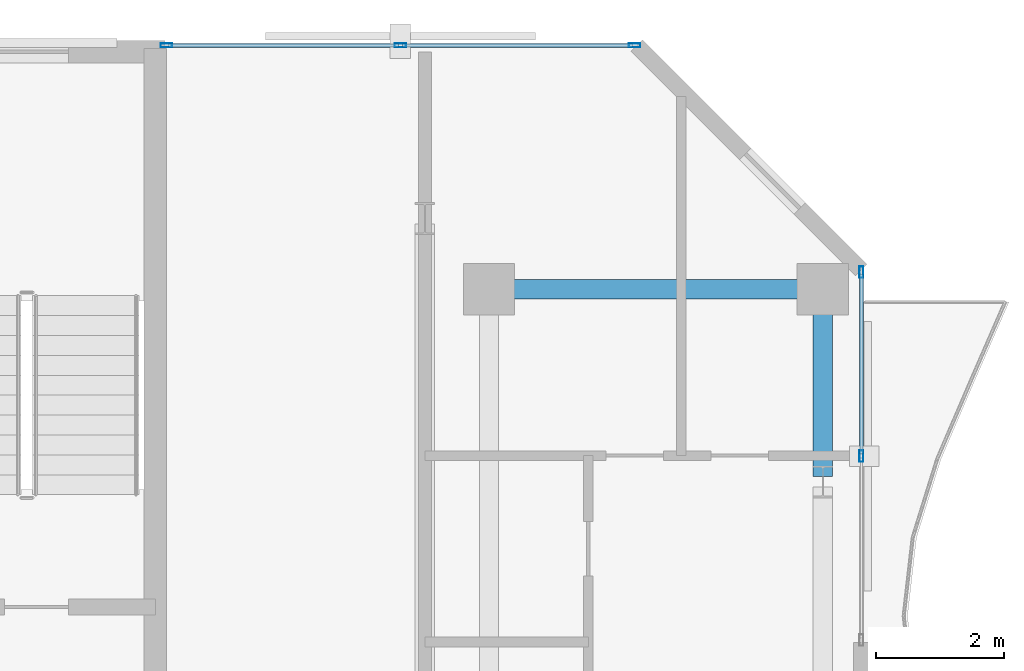
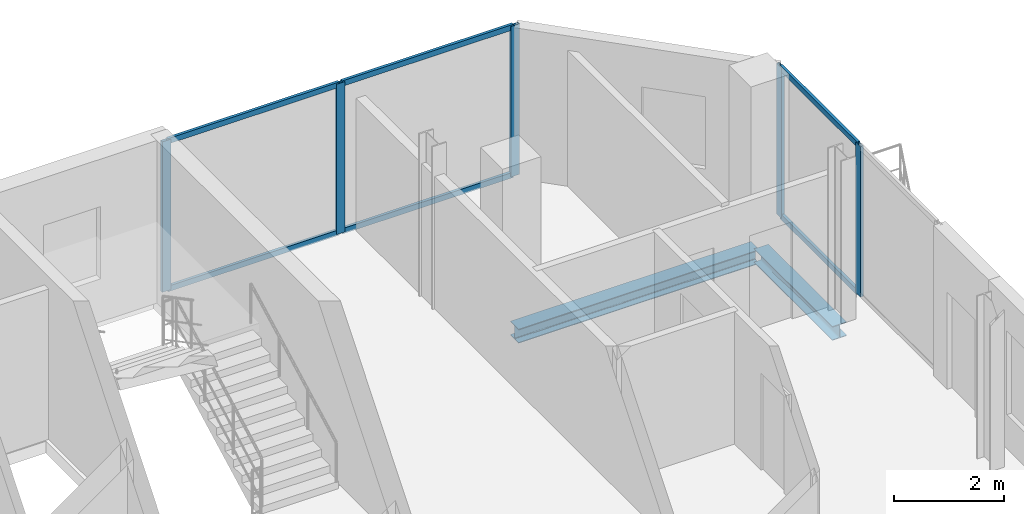
# One storey, part 16 of 24: 11 members, 2 beams, 2 elements without a shape of their own.
"""IFC4 building model written with IfcOpenShell, lengths in metres."""

from ifc_helpers import new_model, si_unit, direction, frame, origin, origin_2d, place, context, subcontext, project, spatial, hollow_rectangle, i_section, extrude, material, layer, layer_set, material_profile, profile_set, type_object, element, aggregate, save


model = new_model("IFC4")

# Units and contexts
model_context = context("Model", 3, precision=1e-05, world=origin(), true_north=direction((0.0, 1.0)))
body_context = subcontext(model_context, "Body", "Model", "MODEL_VIEW")
ifc_project = project(units=[si_unit("LENGTHUNIT", "METRE"), si_unit("AREAUNIT", "SQUARE_METRE"), si_unit("VOLUMEUNIT", "CUBIC_METRE"), si_unit("PLANEANGLEUNIT", "RADIAN"), si_unit("MASSUNIT", "GRAM", prefix="KILO")], contexts=[model_context])

# Site, building, storey
site_placement = place(None, origin())
site = spatial("IfcSite", under=ifc_project, at=site_placement, CompositionType="ELEMENT")
building_placement = place(site_placement, origin())
building = spatial("IfcBuilding", under=site, at=building_placement, Name="Catumbela Crestline Tower", CompositionType="ELEMENT")
storey_placement = place(building_placement, frame((0.0, 0.0, 161.4)))
storey = spatial("IfcBuildingStorey", under=building, at=storey_placement, Name="L41", CompositionType="ELEMENT", Elevation=161.4)

# Curtain wall, members
ifc_material_1 = material(Name="Aluminium alloy AW-6060-T66", Category="aluminium")
ifc_layer = layer(ifc_material_1, 0.18, Name="Aluminium alloy AW-6060-T66")
ifc_layer_set = layer_set([ifc_layer], Name="Aluminium alloy AW-6060-T66")
curtain_wall_type = type_object("IfcCurtainWallType", Name="CWU-Z3", PredefinedType="USERDEFINED", material=ifc_layer_set)
curtain_wall_1_placement = place(storey_placement, origin())
curtain_wall_1 = element("IfcCurtainWall", 1, at=curtain_wall_1_placement, inside=storey, type_object=curtain_wall_type, Name="L41 Unitised Curtain Wall CW-L41-E5S2", ObjectType="UNITISED", PredefinedType="USERDEFINED")
ifc_material_profile_1 = material_profile(ifc_material_1, hollow_rectangle(XDim=0.065, YDim=0.18, WallThickness=0.004, at=origin_2d()), Name="ALU 180x65x4")
ifc_profile_set_1 = profile_set([ifc_material_profile_1], Name="Aluminium alloy AW-6060-T66")
member_type_1 = type_object("IfcMemberType", Name="MUL-180X65", PredefinedType="MULLION", material=ifc_profile_set_1)
member_1_placement = place(storey_placement, frame((51.0, 36.6, 0.0), z_axis=(0.0, 0.0, 1.0), x_axis=(-1.0, 0.0, 0.0)))
member_1 = element("IfcMember", 2, at=member_1_placement, type_object=member_type_1, Name="CWU-Z3 mullion 2", PredefinedType="MULLION", context=body_context, shape_type="SweptSolid", body=[
    extrude(hollow_rectangle(XDim=0.065, YDim=0.18, WallThickness=0.004, at=origin_2d()), origin(), (0.0, 0.0, 1.0), 3.33),
])
member_2_placement = place(storey_placement, frame((51.0, 39.4675, 0.0), z_axis=(0.0, 0.0, 1.0), x_axis=(-1.0, 0.0, 0.0)))
member_2 = element("IfcMember", 3, at=member_2_placement, type_object=member_type_1, Name="CWU-Z3 mullion 3", PredefinedType="MULLION", context=body_context, shape_type="SweptSolid", body=[
    extrude(hollow_rectangle(XDim=0.065, YDim=0.18, WallThickness=0.004, at=origin_2d()), origin(), (0.0, 0.0, 1.0), 3.33),
])

curtain_wall_2_placement = place(storey_placement, origin())
curtain_wall_2 = element("IfcCurtainWall", 4, at=curtain_wall_2_placement, inside=storey, type_object=curtain_wall_type, Name="L41 Unitised Curtain Wall CW-L41-E7S1", ObjectType="UNITISED", PredefinedType="USERDEFINED")
member_3_placement = place(storey_placement, frame((47.4675, 43.0, 0.0), z_axis=(0.0, 0.0, 1.0), x_axis=(0.0, -1.0, 0.0)))
member_3 = element("IfcMember", 5, at=member_3_placement, type_object=member_type_1, Name="CWU-Z3 mullion 1", PredefinedType="MULLION", context=body_context, shape_type="SweptSolid", body=[
    extrude(hollow_rectangle(XDim=0.065, YDim=0.18, WallThickness=0.004, at=origin_2d()), origin(), (0.0, 0.0, 1.0), 3.33),
])
member_4_placement = place(storey_placement, frame((43.82, 43.0, 0.0), z_axis=(0.0, 0.0, 1.0), x_axis=(0.0, -1.0, 0.0)))
member_4 = element("IfcMember", 6, at=member_4_placement, type_object=member_type_1, Name="CWU-Z3 mullion 2", PredefinedType="MULLION", context=body_context, shape_type="SweptSolid", body=[
    extrude(hollow_rectangle(XDim=0.065, YDim=0.18, WallThickness=0.004, at=origin_2d()), origin(), (0.0, 0.0, 1.0), 3.33),
])
member_5_placement = place(storey_placement, frame((40.1725, 43.0, 0.0), z_axis=(0.0, 0.0, 1.0), x_axis=(0.0, -1.0, 0.0)))
member_5 = element("IfcMember", 7, at=member_5_placement, type_object=member_type_1, Name="CWU-Z3 mullion 3", PredefinedType="MULLION", context=body_context, shape_type="SweptSolid", body=[
    extrude(hollow_rectangle(XDim=0.065, YDim=0.18, WallThickness=0.004, at=origin_2d()), origin(), (0.0, 0.0, 1.0), 3.33),
])

# Beams
ifc_material_2 = material(Name="Structural steel S355J2", Category="steel")
ifc_material_profile_2 = material_profile(ifc_material_2, i_section(OverallWidth=0.3, OverallDepth=0.31, WebThickness=0.009, FlangeThickness=0.0155, FilletRadius=0.027, at=origin_2d()), Name="HEA 320")
ifc_profile_set_2 = profile_set([ifc_material_profile_2], Name="Structural steel S355J2")
beam_type = type_object("IfcBeamType", Name="BS-HEA320", PredefinedType="SPANDREL", material=ifc_profile_set_2)
beam_1_placement = place(storey_placement, frame((45.28, 39.2, -0.415), z_axis=(1.0, 0.0, 0.0), x_axis=(0.0, 1.0, 0.0)))
element("IfcBeam", 8, at=beam_1_placement, inside=storey, type_object=beam_type, Name="L41 Spandrel SP-L41-N13", PredefinedType="SPANDREL", context=body_context, shape_type="SweptSolid", body=[
    extrude(i_section(OverallWidth=0.3, OverallDepth=0.31, WebThickness=0.009, FlangeThickness=0.0155, FilletRadius=0.027, at=origin_2d()), origin(), (0.0, 0.0, 1.0), 5.04),
])
beam_2_placement = place(storey_placement, frame((50.4, 36.28, -0.415), z_axis=(0.0, 1.0, 0.0), x_axis=(-1.0, 0.0, 0.0)))
element("IfcBeam", 9, at=beam_2_placement, inside=storey, type_object=beam_type, Name="L41 Spandrel SP-L41-SN25", PredefinedType="SPANDREL", context=body_context, shape_type="SweptSolid", body=[
    extrude(i_section(OverallWidth=0.3, OverallDepth=0.31, WebThickness=0.009, FlangeThickness=0.0155, FilletRadius=0.027, at=origin_2d()), origin(), (0.0, 0.0, 1.0), 2.84),
])

# Member
ifc_material_profile_3 = material_profile(ifc_material_1, hollow_rectangle(XDim=0.06, YDim=0.12, WallThickness=0.0035, at=origin_2d()), Name="ALU 120x60x3.5")
ifc_profile_set_3 = profile_set([ifc_material_profile_3], Name="Aluminium alloy AW-6060-T66")
member_type_2 = type_object("IfcMemberType", Name="TRN-120X60", PredefinedType="USERDEFINED", material=ifc_profile_set_3)
member_6_placement = place(storey_placement, frame((51.0, 36.6325, 0.03), z_axis=(0.0, 1.0, 0.0), x_axis=(-1.0, 0.0, 0.0)))
member_6 = element("IfcMember", 10, at=member_6_placement, type_object=member_type_2, Name="CWU-Z3 transom 2.1", ObjectType="TRANSOM", PredefinedType="USERDEFINED", context=body_context, shape_type="SweptSolid", body=[
    extrude(hollow_rectangle(XDim=0.06, YDim=0.12, WallThickness=0.0035, at=origin_2d()), origin(), (0.0, 0.0, 1.0), 2.8025),
])

member_7_placement = place(storey_placement, frame((51.0, 36.6325, 3.3), z_axis=(0.0, 1.0, 0.0), x_axis=(-1.0, 0.0, 0.0)))
member_7 = element("IfcMember", 11, at=member_7_placement, type_object=member_type_2, Name="CWU-Z3 transom 2.2", ObjectType="TRANSOM", PredefinedType="USERDEFINED", context=body_context, shape_type="SweptSolid", body=[
    extrude(hollow_rectangle(XDim=0.06, YDim=0.12, WallThickness=0.0035, at=origin_2d()), origin(), (0.0, 0.0, 1.0), 2.8025),
])

aggregate(curtain_wall_1, [member_1, member_2, member_6, member_7])

member_8_placement = place(storey_placement, frame((47.435, 43.0, 0.03), z_axis=(-1.0, 0.0, 0.0), x_axis=(0.0, -1.0, 0.0)))
member_8 = element("IfcMember", 12, at=member_8_placement, type_object=member_type_2, Name="CWU-Z3 transom 1.1", ObjectType="TRANSOM", PredefinedType="USERDEFINED", context=body_context, shape_type="SweptSolid", body=[
    extrude(hollow_rectangle(XDim=0.06, YDim=0.12, WallThickness=0.0035, at=origin_2d()), origin(), (0.0, 0.0, 1.0), 3.5825),
])

member_9_placement = place(storey_placement, frame((47.435, 43.0, 3.3), z_axis=(-1.0, 0.0, 0.0), x_axis=(0.0, -1.0, 0.0)))
member_9 = element("IfcMember", 13, at=member_9_placement, type_object=member_type_2, Name="CWU-Z3 transom 1.2", ObjectType="TRANSOM", PredefinedType="USERDEFINED", context=body_context, shape_type="SweptSolid", body=[
    extrude(hollow_rectangle(XDim=0.06, YDim=0.12, WallThickness=0.0035, at=origin_2d()), origin(), (0.0, 0.0, 1.0), 3.5825),
])

member_10_placement = place(storey_placement, frame((43.7875, 43.0, 0.03), z_axis=(-1.0, 0.0, 0.0), x_axis=(0.0, -1.0, 0.0)))
member_10 = element("IfcMember", 14, at=member_10_placement, type_object=member_type_2, Name="CWU-Z3 transom 2.1", ObjectType="TRANSOM", PredefinedType="USERDEFINED", context=body_context, shape_type="SweptSolid", body=[
    extrude(hollow_rectangle(XDim=0.06, YDim=0.12, WallThickness=0.0035, at=origin_2d()), origin(), (0.0, 0.0, 1.0), 3.5825),
])

member_11_placement = place(storey_placement, frame((43.7875, 43.0, 3.3), z_axis=(-1.0, 0.0, 0.0), x_axis=(0.0, -1.0, 0.0)))
member_11 = element("IfcMember", 15, at=member_11_placement, type_object=member_type_2, Name="CWU-Z3 transom 2.2", ObjectType="TRANSOM", PredefinedType="USERDEFINED", context=body_context, shape_type="SweptSolid", body=[
    extrude(hollow_rectangle(XDim=0.06, YDim=0.12, WallThickness=0.0035, at=origin_2d()), origin(), (0.0, 0.0, 1.0), 3.5825),
])

aggregate(curtain_wall_2, [member_3, member_4, member_5, member_8, member_9, member_10, member_11])

save(model, "model.ifc")
